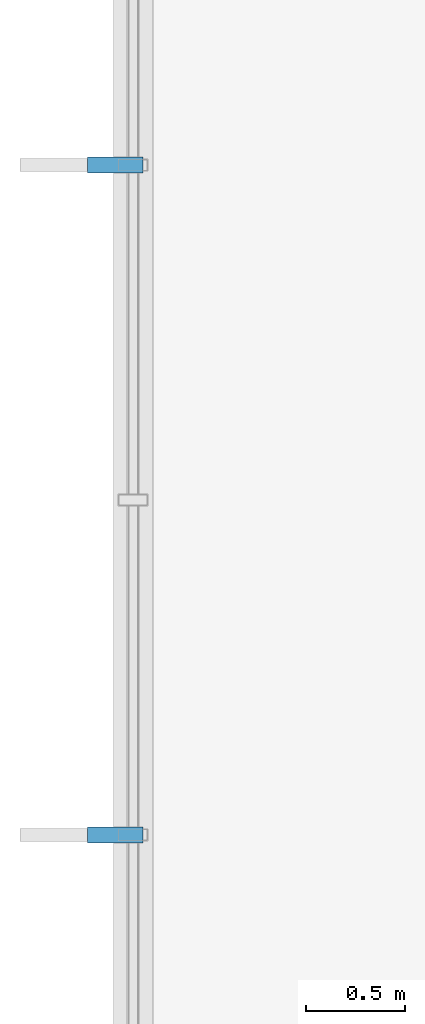
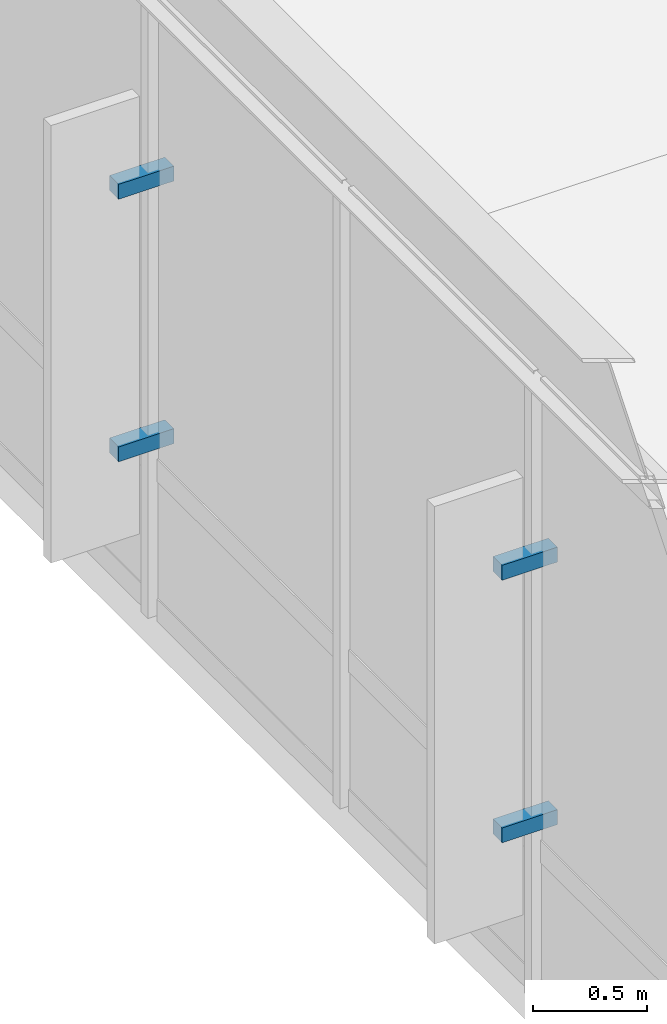
# One storey, part 104 of 113: 4 discrete accessories.
"""IFC4 building model written with IfcOpenShell, lengths in metres."""

from ifc_helpers import new_model, si_unit, direction, frame, origin, origin_2d, place, context, subcontext, project, spatial, rectangle, extrude, material, type_object, element, save


model = new_model("IFC4")

# Units and contexts
model_context = context("Model", 3, precision=1e-05, world=origin(), true_north=direction((0.0, 1.0)))
body_context = subcontext(model_context, "Body", "Model", "MODEL_VIEW")
ifc_project = project(units=[si_unit("LENGTHUNIT", "METRE"), si_unit("AREAUNIT", "SQUARE_METRE"), si_unit("VOLUMEUNIT", "CUBIC_METRE"), si_unit("PLANEANGLEUNIT", "RADIAN"), si_unit("MASSUNIT", "GRAM", prefix="KILO")], contexts=[model_context])

# Site, building, storey
site_placement = place(None, origin())
site = spatial("IfcSite", under=ifc_project, at=site_placement, CompositionType="ELEMENT")
building_placement = place(site_placement, origin())
building = spatial("IfcBuilding", under=site, at=building_placement, Name="Kazanami Central Library", CompositionType="ELEMENT")
storey_placement = place(building_placement, frame((0.0, 0.0, 8.800048828125)))
storey = spatial("IfcBuildingStorey", under=building, at=storey_placement, Name="L03", CompositionType="ELEMENT", Elevation=8.800048828125)

# Discrete accessories
ifc_material = material(Name="Stainless Steel SUS304", Category="steel")
discrete_accessory_type = type_object("IfcDiscreteAccessoryType", Name="ACC-BRK-1", PredefinedType="BRACKET", material=ifc_material)
for number, where, z_axis, x_axis, name in (
    (1, (-0.090087890625, 66.71240234375, 0.90234375), (0.0, 0.0, 1.0), (0.0, 1.0, 0.0), "Solar Fin Outrigger Bracket L03 W-1-09.1.1"),
    (2, (-0.090087890625, 66.71240234375, 2.3125), (0.0, 0.0, 1.0), (0.0, 1.0, 0.0), "Solar Fin Outrigger Bracket L03 W-1-09.1.2"),
    (3, (-0.090087890625, 70.08740234375, 0.90234375), (0.0, 0.0, 1.0), (0.0, 1.0, 0.0), "Solar Fin Outrigger Bracket L03 W-1-09.2.1"),
    (4, (-0.090087890625, 70.08740234375, 2.3125), (0.0, 0.0, 1.0), (0.0, 1.0, 0.0), "Solar Fin Outrigger Bracket L03 W-1-09.2.2"),
):
    element("IfcDiscreteAccessory", number, at=place(storey_placement, frame(where, z_axis=z_axis, x_axis=x_axis)), inside=storey, type_object=discrete_accessory_type, Name=name, PredefinedType="BRACKET", context=body_context, shape_type="SweptSolid", body=[
        extrude(rectangle(XDim=0.080078125, YDim=0.280029296875, at=origin_2d()), origin(), (0.0, 0.0, 1.0), 0.080078125),
    ])

save(model, "model.ifc")
